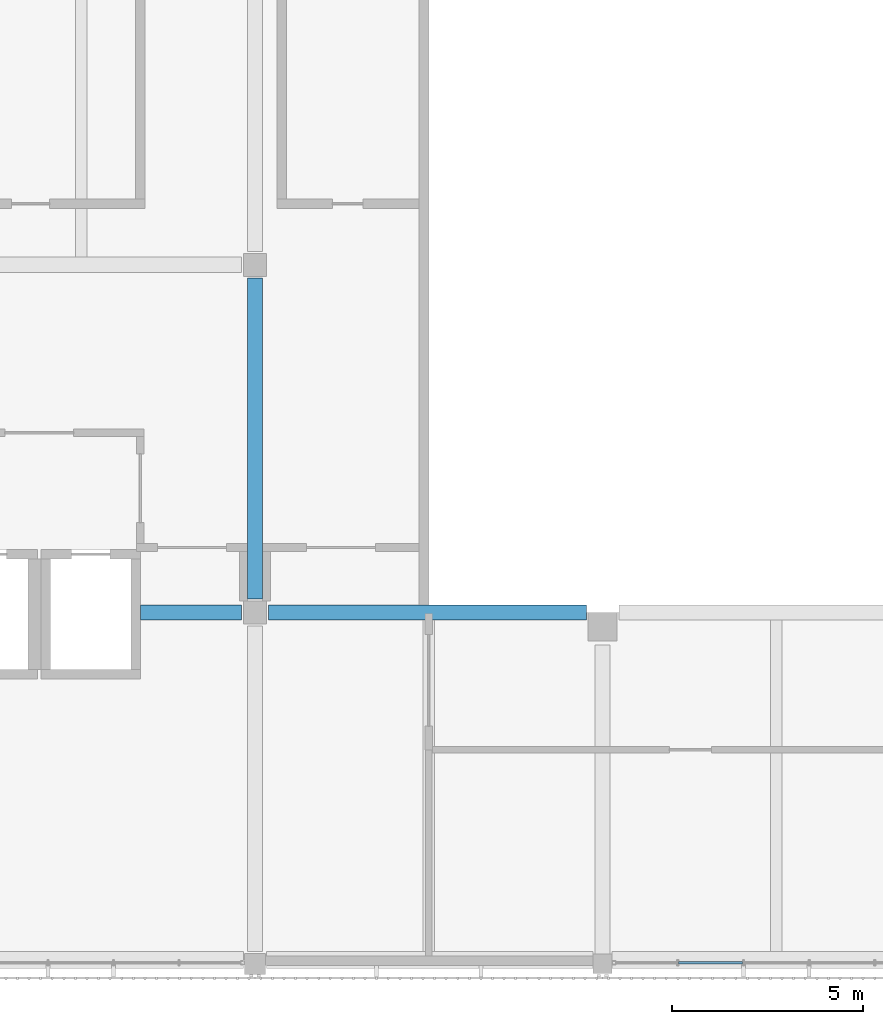
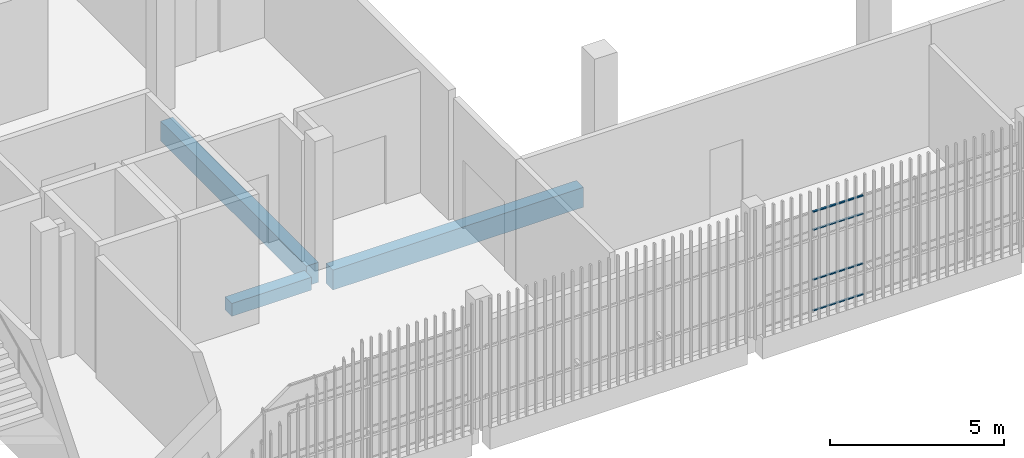
# One storey, part 11 of 124: 4 members, 3 beams, 1 element without a shape of its own.
"""IFC4 building model written with IfcOpenShell, lengths in metres."""

from ifc_helpers import new_model, si_unit, direction, frame, origin, origin_2d, place, context, subcontext, project, spatial, rectangle, hollow_rectangle, extrude, material, layer, layer_set, material_profile, profile_set, type_object, element, aggregate, save


model = new_model("IFC4")

# Units and contexts
model_context = context("Model", 3, precision=1e-05, world=origin(), true_north=direction((0.0, 1.0)))
body_context = subcontext(model_context, "Body", "Model", "MODEL_VIEW")
ifc_project = project(units=[si_unit("LENGTHUNIT", "METRE"), si_unit("AREAUNIT", "SQUARE_METRE"), si_unit("VOLUMEUNIT", "CUBIC_METRE"), si_unit("PLANEANGLEUNIT", "RADIAN"), si_unit("MASSUNIT", "GRAM", prefix="KILO")], contexts=[model_context])

# Site, building, storey
site_placement = place(None, origin())
site = spatial("IfcSite", under=ifc_project, at=site_placement, CompositionType="ELEMENT")
building_placement = place(site_placement, origin())
building = spatial("IfcBuilding", under=site, at=building_placement, Name="Shirokan Park Arena", CompositionType="ELEMENT")
storey_placement = place(building_placement, frame((0.0, 0.0, 20.02001953125)))
storey = spatial("IfcBuildingStorey", under=building, at=storey_placement, Name="L04", CompositionType="ELEMENT", Elevation=20.02001953125)

# Beams
ifc_material_1 = material(Name="Concrete C35", Category="concrete")
ifc_material_profile_1 = material_profile(ifc_material_1, rectangle(XDim=0.39990234375, YDim=0.699951171875, at=origin_2d()), Name="400x700")
ifc_profile_set_1 = profile_set([ifc_material_profile_1], Name="Concrete C35")
beam_type_1 = type_object("IfcBeamType", Name="RC girder 400x700", PredefinedType="BEAM", material=ifc_profile_set_1)
beam_1_placement = place(storey_placement, frame((36.75, 9.10009765625, -0.60009765625), z_axis=(1.0, 0.0, 0.0), x_axis=(0.0, 1.0, 0.0)))
element("IfcBeam", 1, at=beam_1_placement, inside=storey, type_object=beam_type_1, Name="Girder 5B-6B L04", PredefinedType="BEAM", context=body_context, shape_type="SweptSolid", body=[
    extrude(rectangle(XDim=0.39990234375, YDim=0.699951171875, at=origin_2d()), origin(), (0.0, 0.0, 1.0), 8.324951171875),
])
beam_2_placement = place(storey_placement, frame((36.39990234375, 9.4501953125, -0.60009765625), z_axis=(0.0, 1.0, 0.0), x_axis=(-1.0, 0.0, 0.0)))
element("IfcBeam", 2, at=beam_2_placement, inside=storey, type_object=beam_type_1, Name="Girder 5B-5C L04", PredefinedType="BEAM", context=body_context, shape_type="SweptSolid", body=[
    extrude(rectangle(XDim=0.39990234375, YDim=0.699951171875, at=origin_2d()), origin(), (0.0, 0.0, 1.0), 8.399658203125),
])
ifc_material_profile_2 = material_profile(ifc_material_1, rectangle(XDim=0.39990234375, YDim=0.449951171875, at=origin_2d()), Name="400x450")
ifc_profile_set_2 = profile_set([ifc_material_profile_2], Name="Concrete C35")
beam_type_2 = type_object("IfcBeamType", Name="RC trimmer 400x450", PredefinedType="BEAM", material=ifc_profile_set_2)
beam_3_placement = place(storey_placement, frame((33.39990234375, 9.10009765625, -0.47509765625), z_axis=(1.0, 0.0, 0.0), x_axis=(0.0, 1.0, 0.0)))
element("IfcBeam", 3, at=beam_3_placement, inside=storey, type_object=beam_type_2, Name="Girder 4B-5B L04", PredefinedType="BEAM", context=body_context, shape_type="SweptSolid", body=[
    extrude(rectangle(XDim=0.39990234375, YDim=0.449951171875, at=origin_2d()), origin(), (0.0, 0.0, 1.0), 2.64990234375),
])

# Curtain wall, members
ifc_material_2 = material(Name="Steel and glass curtain wall", Category="steel")
ifc_layer = layer(ifc_material_2, 0.14990234375)
ifc_layer_set = layer_set([ifc_layer], Name="Steel and glass curtain wall 150 mm")
curtain_wall_type = type_object("IfcCurtainWallType", Name="Curtain wall exposed bay 150", PredefinedType="NOTDEFINED", material=ifc_layer_set)
curtain_wall_placement = place(storey_placement, origin())
curtain_wall = element("IfcCurtainWall", 4, at=curtain_wall_placement, inside=storey, type_object=curtain_wall_type, Name="Curtain wall south bay 6 L04", PredefinedType="NOTDEFINED")
ifc_material_3 = material(Name="Steel S355", Category="steel")
ifc_material_profile_3 = material_profile(ifc_material_3, hollow_rectangle(XDim=0.06005859375, YDim=0.0400390625, WallThickness=0.00390625, at=origin_2d()), Name="RHS 60x40x4")
ifc_profile_set_3 = profile_set([ifc_material_profile_3], Name="Steel S355")
member_type = type_object("IfcMemberType", Name="Transom RHS 60x40x4", PredefinedType="MULLION", material=ifc_profile_set_3)
member_1_placement = place(storey_placement, frame((47.4951171875, -0.074951171875, 0.02001953125), z_axis=(1.0, 0.0, 0.0), x_axis=(0.0, 1.0, 0.0)))
member_1 = element("IfcMember", 5, at=member_1_placement, type_object=member_type, Name="CW1 transom 2.1", PredefinedType="MULLION", context=body_context, shape_type="SweptSolid", body=[
    extrude(hollow_rectangle(XDim=0.06005859375, YDim=0.0400390625, WallThickness=0.00390625, at=origin_2d()), origin(), (0.0, 0.0, 1.0), 1.669921875),
])
member_2_placement = place(storey_placement, frame((47.4951171875, -0.074951171875, 1.10009765625), z_axis=(1.0, 0.0, 0.0), x_axis=(0.0, 1.0, 0.0)))
member_2 = element("IfcMember", 6, at=member_2_placement, type_object=member_type, Name="CW1 transom 2.2", PredefinedType="MULLION", context=body_context, shape_type="SweptSolid", body=[
    extrude(hollow_rectangle(XDim=0.06005859375, YDim=0.0400390625, WallThickness=0.00390625, at=origin_2d()), origin(), (0.0, 0.0, 1.0), 1.669921875),
])
member_3_placement = place(storey_placement, frame((47.4951171875, -0.074951171875, 2.85009765625), z_axis=(1.0, 0.0, 0.0), x_axis=(0.0, 1.0, 0.0)))
member_3 = element("IfcMember", 7, at=member_3_placement, type_object=member_type, Name="CW1 transom 2.3", PredefinedType="MULLION", context=body_context, shape_type="SweptSolid", body=[
    extrude(hollow_rectangle(XDim=0.06005859375, YDim=0.0400390625, WallThickness=0.00390625, at=origin_2d()), origin(), (0.0, 0.0, 1.0), 1.669921875),
])
member_4_placement = place(storey_placement, frame((47.4951171875, -0.074951171875, 3.47998046875), z_axis=(1.0, 0.0, 0.0), x_axis=(0.0, 1.0, 0.0)))
member_4 = element("IfcMember", 8, at=member_4_placement, type_object=member_type, Name="CW1 transom 2.4", PredefinedType="MULLION", context=body_context, shape_type="SweptSolid", body=[
    extrude(hollow_rectangle(XDim=0.06005859375, YDim=0.0400390625, WallThickness=0.00390625, at=origin_2d()), origin(), (0.0, 0.0, 1.0), 1.669921875),
])
aggregate(curtain_wall, [member_1, member_2, member_3, member_4])

save(model, "model.ifc")
